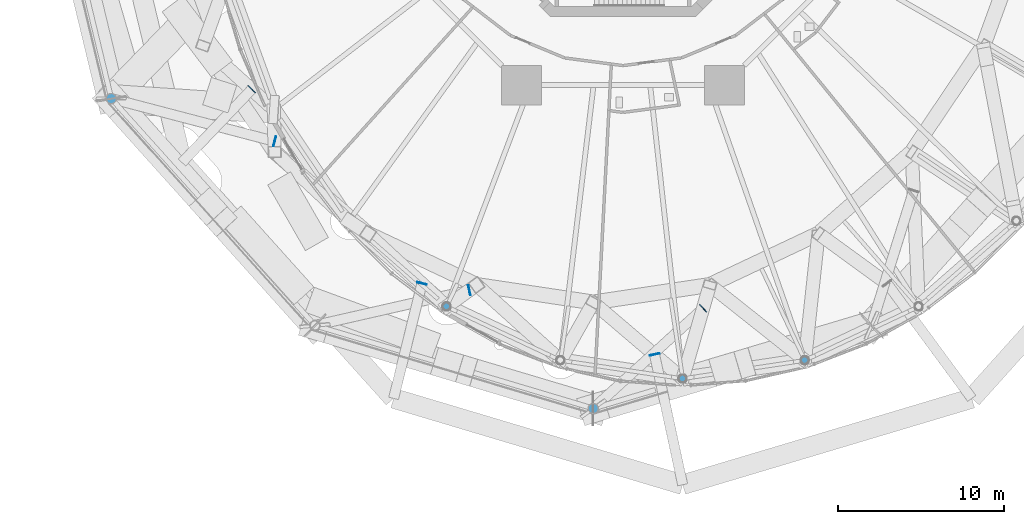
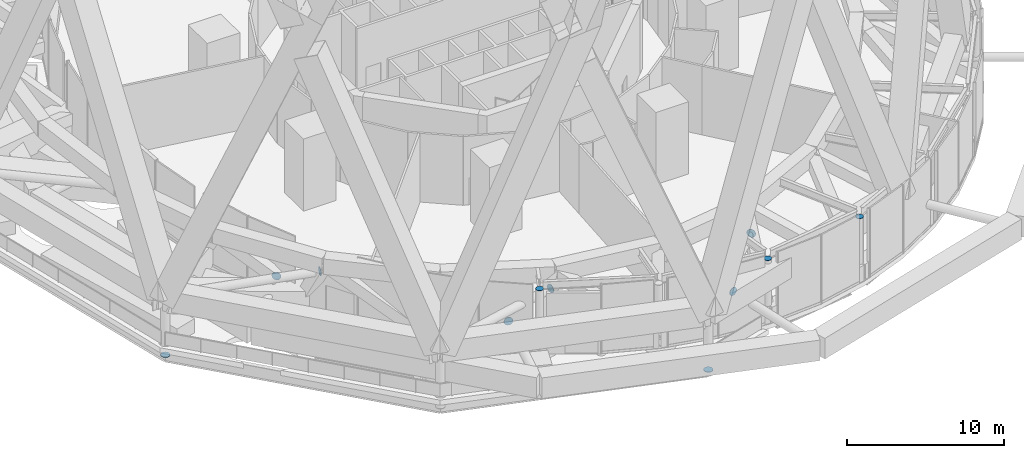
# One storey, part 44 of 51: 11 discrete accessories.
"""IFC4 building model written with IfcOpenShell, lengths in metres."""

from ifc_helpers import new_model, si_unit, direction, frame, origin, origin_2d, place, context, subcontext, project, spatial, circle, extrude, material, layer, layer_set, type_object, element, save


model = new_model("IFC4")

# Units and contexts
model_context = context("Model", 3, precision=1e-05, world=origin(), true_north=direction((0.0, 1.0)))
body_context = subcontext(model_context, "Body", "Model", "MODEL_VIEW")
ifc_project = project(units=[si_unit("LENGTHUNIT", "METRE"), si_unit("AREAUNIT", "SQUARE_METRE"), si_unit("VOLUMEUNIT", "CUBIC_METRE"), si_unit("PLANEANGLEUNIT", "RADIAN"), si_unit("MASSUNIT", "GRAM", prefix="KILO")], contexts=[model_context])

# Site, building, storey
site_placement = place(None, origin())
site = spatial("IfcSite", under=ifc_project, at=site_placement, CompositionType="ELEMENT")
building_placement = place(site_placement, origin())
building = spatial("IfcBuilding", under=site, at=building_placement, Name="Nagisa Residences", CompositionType="ELEMENT")
storey_placement = place(building_placement, frame((0.0, 0.0, 67.699951171875)))
storey = spatial("IfcBuildingStorey", under=building, at=storey_placement, Name="L16", CompositionType="ELEMENT", Elevation=67.699951171875)

# Discrete accessories
ifc_material_1 = material(Name="Steel ASTM A572 Gr 50", Category="steel")
ifc_layer_1 = layer(ifc_material_1, 0.030029296875)
ifc_layer_set_1 = layer_set([ifc_layer_1], Name="End plate")
discrete_accessory_type_1 = type_object("IfcDiscreteAccessoryType", Name="End plate", PredefinedType="ANCHORPLATE", material=ifc_layer_set_1)
for number, where, z_axis, x_axis, name in (
    (1, (-30.89404296875, -15.58984375, -0.889892578125), (0.0, 0.0, -1.0), (1.0, 0.0, 0.0), "End plate DH107"),
    (2, (-1.800048828125, -34.29736328125, -0.889892578125), (0.0, 0.0, -1.0), (1.0, 0.0, 0.0), "End plate DH109"),
):
    element("IfcDiscreteAccessory", number, at=place(storey_placement, frame(where, z_axis=z_axis, x_axis=x_axis)), inside=storey, type_object=discrete_accessory_type_1, Name=name, PredefinedType="ANCHORPLATE", context=body_context, shape_type="SweptSolid", body=[
        extrude(circle(Radius=0.304931640625, at=origin_2d()), origin(), (0.0, 0.0, 1.0), 0.030029296875),
    ])
for number, where, z_axis, x_axis, name in (
    (3, (-10.64990234375, -28.145751953125, 4.737060546875), (0.0, 0.0, 1.0), (1.0, 0.0, 0.0), "End plate GP117"),
    (4, (3.60009765625, -32.5, 4.737060546875), (0.0, 0.0, 1.0), (1.0, 0.0, 0.0), "End plate GP119"),
    (5, (10.976318359375, -31.392578125, 4.737060546875), (0.0, 0.0, 1.0), (1.0, 0.0, 0.0), "End plate GP120"),
):
    element("IfcDiscreteAccessory", number, at=place(storey_placement, frame(where, z_axis=z_axis, x_axis=x_axis)), inside=storey, type_object=discrete_accessory_type_1, Name=name, PredefinedType="ANCHORPLATE", context=body_context, shape_type="SweptSolid", body=[
        extrude(circle(Radius=0.25390625, at=origin_2d()), origin(), (0.0, 0.0, 1.0), 0.030029296875),
    ])
ifc_material_2 = material(Name="Steel ASTM A572 Gr 50", Category="steel")
ifc_layer_2 = layer(ifc_material_2, 0.030029296875)
ifc_layer_set_2 = layer_set([ifc_layer_2], Name="Node plate")
discrete_accessory_type_2 = type_object("IfcDiscreteAccessoryType", Name="Node plate", PredefinedType="ANCHORPLATE", material=ifc_layer_set_2)
for number, where, z_axis, x_axis, name in (
    (6, (-22.422607421875, -15.037841796875, 1.900146484375), (0.690668977589, 0.723171047123, 0.0), (-0.723171047123, 0.690668977589, 0.0), "Node plate ST1A08"),
    (7, (-12.140869140625, -26.762939453125, 1.900146484375), (0.244452425326, 0.969661287127, 0.0), (-0.969661287127, 0.244452425326, 0.0), "Node plate ST1A09"),
    (8, (1.904296875, -31.0546875, 1.900146484375), (-0.211753347006, 0.977323140027, 0.0), (-0.977323140027, -0.211753347006, 0.0), "Node plate ST1A10"),
):
    element("IfcDiscreteAccessory", number, at=place(storey_placement, frame(where, z_axis=z_axis, x_axis=x_axis)), inside=storey, type_object=discrete_accessory_type_2, Name=name, PredefinedType="ANCHORPLATE", context=body_context, shape_type="SweptSolid", body=[
        extrude(circle(Radius=0.304931640625, at=origin_2d()), origin(), (0.0, 0.0, 1.0), 0.030029296875),
    ])
discrete_accessory_placement = place(storey_placement, frame((-21.042724609375, -18.16943359375, 3.699951171875), z_axis=(0.967180624685, -0.254089825129, 0.0), x_axis=(0.254089825129, 0.967180624685, 0.0)))
element("IfcDiscreteAccessory", 9, at=discrete_accessory_placement, inside=storey, type_object=discrete_accessory_type_2, Name="Node plate ST2B08", PredefinedType="ANCHORPLATE", context=body_context, shape_type="SweptSolid", body=[
    extrude(circle(Radius=0.304931640625, at=origin_2d()), origin(), (0.0, 0.0, 1.0), 0.02978515625),
])
for number, where, z_axis, x_axis, name in (
    (10, (-9.293701171875, -27.16845703125, 3.699951171875), (0.975609756098, 0.219512195122, 0.0), (-0.219512195122, 0.975609756098, 0.0), "Node plate ST2B09"),
    (11, (4.826904296875, -28.26220703125, 3.699951171875), (0.738836941664, 0.673884243496, 0.0), (-0.673884243496, 0.738836941664, 0.0), "Node plate ST2B10"),
):
    element("IfcDiscreteAccessory", number, at=place(storey_placement, frame(where, z_axis=z_axis, x_axis=x_axis)), inside=storey, type_object=discrete_accessory_type_2, Name=name, PredefinedType="ANCHORPLATE", context=body_context, shape_type="SweptSolid", body=[
        extrude(circle(Radius=0.304931640625, at=origin_2d()), origin(), (0.0, 0.0, 1.0), 0.030029296875),
    ])

save(model, "model.ifc")
